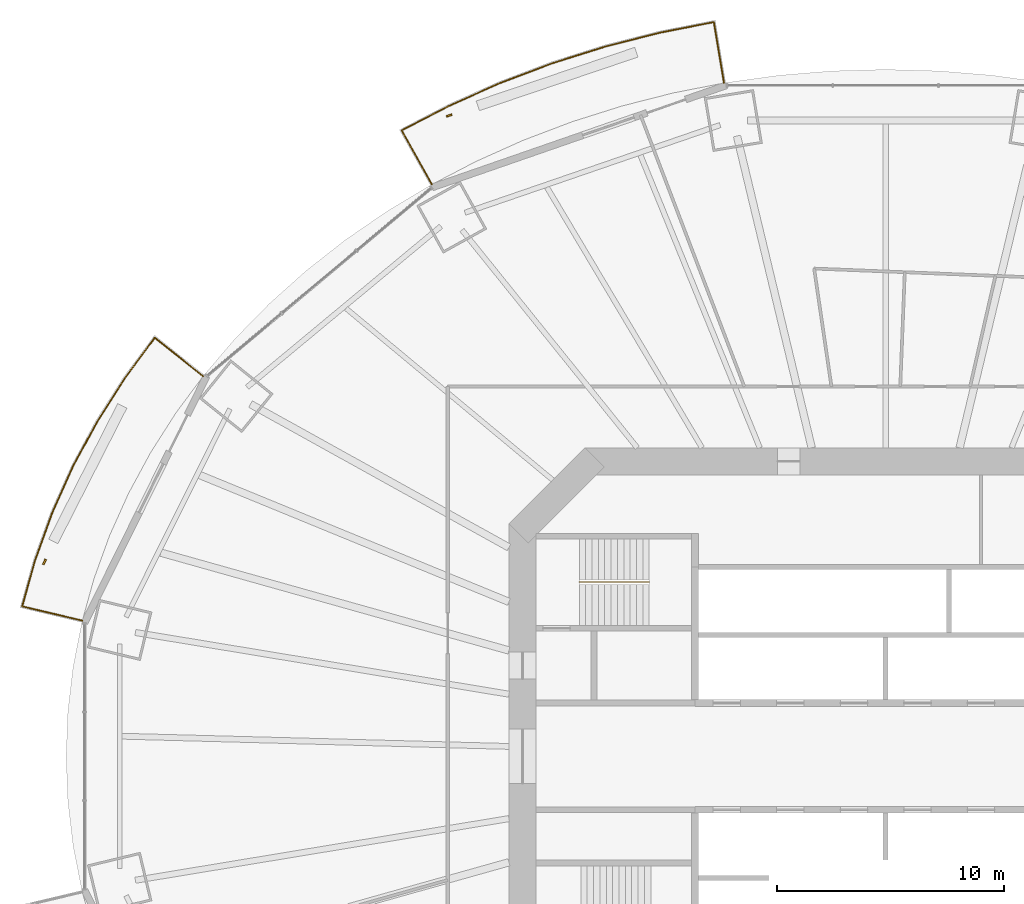
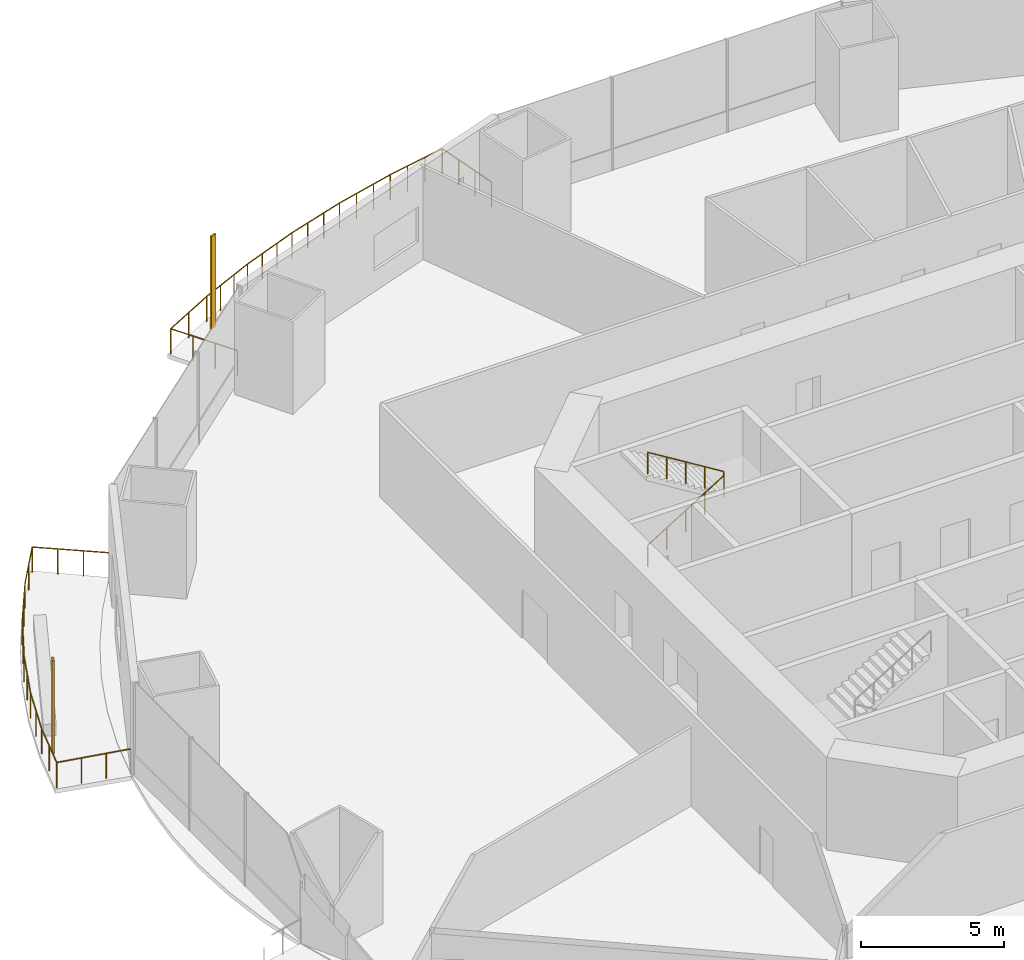
# One storey, part 20 of 23: 3 railings, 2 shading devices.
"""IFC4 building model written with IfcOpenShell, lengths in metres."""

from ifc_helpers import new_model, si_unit, direction, frame, origin, origin_2d, place, context, subcontext, project, spatial, rectangle, circle, extrude, material, material_profile, profile_set, type_object, element, save


model = new_model("IFC4")

# Units and contexts
model_context = context("Model", 3, precision=1e-05, world=origin(), true_north=direction((0.0, 1.0)))
body_context = subcontext(model_context, "Body", "Model", "MODEL_VIEW")
ifc_project = project(units=[si_unit("LENGTHUNIT", "METRE"), si_unit("AREAUNIT", "SQUARE_METRE"), si_unit("VOLUMEUNIT", "CUBIC_METRE"), si_unit("PLANEANGLEUNIT", "RADIAN"), si_unit("MASSUNIT", "GRAM", prefix="KILO")], contexts=[model_context])

# Site, building, storey
site_placement = place(None, origin())
site = spatial("IfcSite", under=ifc_project, at=site_placement, CompositionType="ELEMENT")
building_placement = place(site_placement, origin())
building = spatial("IfcBuilding", under=site, at=building_placement, Name="Marenthal Gate Tower", CompositionType="ELEMENT")
storey_placement = place(building_placement, frame((0.0, 0.0, 57.89990234375)))
storey = spatial("IfcBuildingStorey", under=building, at=storey_placement, Name="L10", CompositionType="ELEMENT", Elevation=57.89990234375)

# Railings
ifc_material_1 = material(Name="Stainless steel", Category="steel")
railing_type_1 = type_object("IfcRailingType", Name="Balcony guard 1100", PredefinedType="GUARDRAIL", material=ifc_material_1)
railing_1_placement = place(storey_placement, frame((-19.99462890625, 25.206787109375, 0.0)))
element("IfcRailing", 1, at=railing_1_placement, inside=storey, type_object=railing_type_1, Name="Balcony guard L10 bay 5", PredefinedType="GUARDRAIL", context=body_context, shape_type="SweptSolid", body=[
    extrude(circle(Radius=0.02392578125, at=origin_2d()), frame((0.0, 0.0, 1.076171875), z_axis=(-0.488848937096, 0.872245790276, -0.014628672067), x_axis=(-0.872339134705, -0.488901251851, 0.0)), (0.0, 0.0, 1.0), 2.720458984375),
    extrude(circle(Radius=0.02392578125, at=origin_2d()), frame((-1.329833984375, 2.372802734375, 1.0361328125), z_axis=(0.887238949587, 0.461310141159, 0.0), x_axis=(-0.461310141159, 0.887238949587, 0.0)), (0.0, 0.0, 1.0), 2.34619140625),
    extrude(circle(Radius=0.02392578125, at=origin_2d()), frame((0.751708984375, 3.455078125, 1.0361328125), z_axis=(0.912604464389, 0.408843602833, 0.0), x_axis=(-0.408843602833, 0.912604464389, 0.0)), (0.0, 0.0, 1.0), 2.443603515625),
    extrude(circle(Radius=0.02392578125, at=origin_2d()), frame((2.981689453125, 4.4541015625, 1.0361328125), z_axis=(0.934856725019, 0.355025215564, 0.0), x_axis=(-0.355025215564, 0.934856725019, 0.0)), (0.0, 0.0, 1.0), 2.459716796875),
    extrude(circle(Radius=0.02392578125, at=origin_2d()), frame((5.28125, 5.327392578125, 1.0361328125), z_axis=(0.953670609563, 0.300852735495, 0.0), x_axis=(-0.300852735495, 0.953670609563, 0.0)), (0.0, 0.0, 1.0), 2.474365234375),
    extrude(circle(Radius=0.02392578125, at=origin_2d()), frame((7.640869140625, 6.07177734375, 1.0361328125), z_axis=(0.969164557422, 0.24641440834, 0.0), x_axis=(-0.24641440834, 0.969164557422, 0.0)), (0.0, 0.0, 1.0), 2.48681640625),
    extrude(circle(Radius=0.02392578125, at=origin_2d()), frame((10.051025390625, 6.6845703125, 1.0361328125), z_axis=(0.981247114518, 0.192753988932, 0.0), x_axis=(-0.192753988932, 0.981247114518, 0.0)), (0.0, 0.0, 1.0), 2.416748046875),
    extrude(circle(Radius=0.02392578125, at=origin_2d()), frame((12.42236328125, 7.150390625, 1.0361328125), z_axis=(0.164599699224, -0.98625196007, 0.014629089953), x_axis=(0.986357511038, 0.164617315064, 0.0)), (0.0, 0.0, 1.0), 2.72021484375),
    extrude(circle(Radius=0.02099609375, at=origin_2d()), origin(), (0.0, 0.0, 1.0), 1.052001953125),
    extrude(circle(Radius=0.02099609375, at=origin_2d()), frame((-0.443359375, 0.791015625, -0.01318359375)), (0.0, 0.0, 1.0), 1.052001953125),
    extrude(circle(Radius=0.02099609375, at=origin_2d()), frame((-0.886474609375, 1.581787109375, -0.026611328125)), (0.0, 0.0, 1.0), 1.052001953125),
    extrude(circle(Radius=0.02099609375, at=origin_2d()), frame((-1.329833984375, 2.372802734375, -0.039794921875)), (0.0, 0.0, 1.0), 1.052001953125),
    extrude(circle(Radius=0.02099609375, at=origin_2d()), frame((-0.2890625, 2.9140625, -0.039794921875)), (0.0, 0.0, 1.0), 1.052001953125),
    extrude(circle(Radius=0.02099609375, at=origin_2d()), frame((0.751708984375, 3.455078125, -0.039794921875)), (0.0, 0.0, 1.0), 1.052001953125),
    extrude(circle(Radius=0.02099609375, at=origin_2d()), frame((1.4951171875, 3.7880859375, -0.039794921875)), (0.0, 0.0, 1.0), 1.052001953125),
    extrude(circle(Radius=0.02099609375, at=origin_2d()), frame((2.23828125, 4.12109375, -0.039794921875)), (0.0, 0.0, 1.0), 1.052001953125),
    extrude(circle(Radius=0.02099609375, at=origin_2d()), frame((2.981689453125, 4.4541015625, -0.039794921875)), (0.0, 0.0, 1.0), 1.052001953125),
    extrude(circle(Radius=0.02099609375, at=origin_2d()), frame((3.748291015625, 4.7451171875, -0.039794921875)), (0.0, 0.0, 1.0), 1.052001953125),
    extrude(circle(Radius=0.02099609375, at=origin_2d()), frame((4.5146484375, 5.036376953125, -0.039794921875)), (0.0, 0.0, 1.0), 1.052001953125),
    extrude(circle(Radius=0.02099609375, at=origin_2d()), frame((5.28125, 5.327392578125, -0.039794921875)), (0.0, 0.0, 1.0), 1.052001953125),
    extrude(circle(Radius=0.02099609375, at=origin_2d()), frame((6.06787109375, 5.575439453125, -0.039794921875)), (0.0, 0.0, 1.0), 1.052001953125),
    extrude(circle(Radius=0.02099609375, at=origin_2d()), frame((6.854248046875, 5.82373046875, -0.039794921875)), (0.0, 0.0, 1.0), 1.052001953125),
    extrude(circle(Radius=0.02099609375, at=origin_2d()), frame((7.640869140625, 6.07177734375, -0.039794921875)), (0.0, 0.0, 1.0), 1.052001953125),
    extrude(circle(Radius=0.02099609375, at=origin_2d()), frame((8.4443359375, 6.276123046875, -0.039794921875)), (0.0, 0.0, 1.0), 1.052001953125),
    extrude(circle(Radius=0.02099609375, at=origin_2d()), frame((9.24755859375, 6.480224609375, -0.039794921875)), (0.0, 0.0, 1.0), 1.052001953125),
    extrude(circle(Radius=0.02099609375, at=origin_2d()), frame((10.051025390625, 6.6845703125, -0.039794921875)), (0.0, 0.0, 1.0), 1.052001953125),
    extrude(circle(Radius=0.02099609375, at=origin_2d()), frame((10.841552734375, 6.83984375, -0.039794921875)), (0.0, 0.0, 1.0), 1.052001953125),
    extrude(circle(Radius=0.02099609375, at=origin_2d()), frame((11.6318359375, 6.9951171875, -0.039794921875)), (0.0, 0.0, 1.0), 1.052001953125),
    extrude(circle(Radius=0.02099609375, at=origin_2d()), frame((12.42236328125, 7.150390625, -0.039794921875)), (0.0, 0.0, 1.0), 1.052001953125),
    extrude(circle(Radius=0.02099609375, at=origin_2d()), frame((12.571533203125, 6.256103515625, -0.026611328125)), (0.0, 0.0, 1.0), 1.052001953125),
    extrude(circle(Radius=0.02099609375, at=origin_2d()), frame((12.720947265625, 5.36181640625, -0.01318359375)), (0.0, 0.0, 1.0), 1.052001953125),
    extrude(circle(Radius=0.02099609375, at=origin_2d()), frame((12.8701171875, 4.467529296875, 0.0)), (0.0, 0.0, 1.0), 1.052001953125),
])
railing_2_placement = place(storey_placement, frame((-35.402587890625, 5.983154296875, 0.0)))
element("IfcRailing", 2, at=railing_2_placement, inside=storey, type_object=railing_type_1, Name="Balcony guard L10 bay 7", PredefinedType="GUARDRAIL", context=body_context, shape_type="SweptSolid", body=[
    extrude(circle(Radius=0.02392578125, at=origin_2d()), frame((0.0, 0.0, 1.076171875), z_axis=(-0.97292794726, 0.230645219487, -0.014628471119), x_axis=(-0.230669901584, -0.973032063451, 0.0)), (0.0, 0.0, 1.0), 2.720458984375),
    extrude(circle(Radius=0.02392578125, at=origin_2d()), frame((-2.646728515625, 0.62744140625, 1.0361328125), z_axis=(0.269464118276, 0.96301043035, 0.0), x_axis=(-0.96301043035, 0.269464118276, 0.0)), (0.0, 0.0, 1.0), 2.130126953125),
    extrude(circle(Radius=0.02392578125, at=origin_2d()), frame((-2.07275390625, 2.6787109375, 1.0361328125), z_axis=(0.340268465621, 0.94032833165, 0.0), x_axis=(-0.94032833165, 0.340268465621, 0.0)), (0.0, 0.0, 1.0), 2.220703125),
    extrude(circle(Radius=0.02392578125, at=origin_2d()), frame((-1.317138671875, 4.766845703125, 1.0361328125), z_axis=(0.40966465878, 0.912236190549, 0.0), x_axis=(-0.912236190549, 0.40966465878, 0.0)), (0.0, 0.0, 1.0), 2.233642578125),
    extrude(circle(Radius=0.02392578125, at=origin_2d()), frame((-0.402099609375, 6.804443359375, 1.0361328125), z_axis=(0.475471623431, 0.879731058513, 0.0), x_axis=(-0.879731058513, 0.475471623431, 0.0)), (0.0, 0.0, 1.0), 2.2490234375),
    extrude(circle(Radius=0.02392578125, at=origin_2d()), frame((0.667236328125, 8.782958984375, 1.0361328125), z_axis=(0.537628198706, 0.843182020655, 0.0), x_axis=(-0.843182020655, 0.537628198706, 0.0)), (0.0, 0.0, 1.0), 2.26611328125),
    extrude(circle(Radius=0.02392578125, at=origin_2d()), frame((1.885498046875, 10.693603515625, 1.0361328125), z_axis=(0.59484873049, 0.803837662613, 0.0), x_axis=(-0.803837662613, 0.59484873049, 0.0)), (0.0, 0.0, 1.0), 2.204345703125),
    extrude(circle(Radius=0.02392578125, at=origin_2d()), frame((3.19677734375, 12.465576171875, 1.0361328125), z_axis=(0.782105703361, -0.622974028807, 0.014629702737), x_axis=(0.623040706516, 0.782189413137, 0.0)), (0.0, 0.0, 1.0), 2.72021484375),
    extrude(circle(Radius=0.02099609375, at=origin_2d()), origin(), (0.0, 0.0, 1.0), 1.052001953125),
    extrude(circle(Radius=0.02099609375, at=origin_2d()), frame((-0.88232421875, 0.209228515625, -0.01318359375)), (0.0, 0.0, 1.0), 1.052001953125),
    extrude(circle(Radius=0.02099609375, at=origin_2d()), frame((-1.764404296875, 0.418212890625, -0.026611328125)), (0.0, 0.0, 1.0), 1.052001953125),
    extrude(circle(Radius=0.02099609375, at=origin_2d()), frame((-2.646728515625, 0.62744140625, -0.039794921875)), (0.0, 0.0, 1.0), 1.052001953125),
    extrude(circle(Radius=0.02099609375, at=origin_2d()), frame((-2.35986328125, 1.653076171875, -0.039794921875)), (0.0, 0.0, 1.0), 1.052001953125),
    extrude(circle(Radius=0.02099609375, at=origin_2d()), frame((-2.07275390625, 2.6787109375, -0.039794921875)), (0.0, 0.0, 1.0), 1.052001953125),
    extrude(circle(Radius=0.02099609375, at=origin_2d()), frame((-1.69482421875, 3.72265625, -0.039794921875)), (0.0, 0.0, 1.0), 1.052001953125),
    extrude(circle(Radius=0.02099609375, at=origin_2d()), frame((-1.317138671875, 4.766845703125, -0.039794921875)), (0.0, 0.0, 1.0), 1.052001953125),
    extrude(circle(Radius=0.02099609375, at=origin_2d()), frame((-0.859619140625, 5.78564453125, -0.039794921875)), (0.0, 0.0, 1.0), 1.052001953125),
    extrude(circle(Radius=0.02099609375, at=origin_2d()), frame((-0.402099609375, 6.804443359375, -0.039794921875)), (0.0, 0.0, 1.0), 1.052001953125),
    extrude(circle(Radius=0.02099609375, at=origin_2d()), frame((0.132568359375, 7.793701171875, -0.039794921875)), (0.0, 0.0, 1.0), 1.052001953125),
    extrude(circle(Radius=0.02099609375, at=origin_2d()), frame((0.667236328125, 8.782958984375, -0.039794921875)), (0.0, 0.0, 1.0), 1.052001953125),
    extrude(circle(Radius=0.02099609375, at=origin_2d()), frame((1.2763671875, 9.73828125, -0.039794921875)), (0.0, 0.0, 1.0), 1.052001953125),
    extrude(circle(Radius=0.02099609375, at=origin_2d()), frame((1.885498046875, 10.693603515625, -0.039794921875)), (0.0, 0.0, 1.0), 1.052001953125),
    extrude(circle(Radius=0.02099609375, at=origin_2d()), frame((2.541015625, 11.57958984375, -0.039794921875)), (0.0, 0.0, 1.0), 1.052001953125),
    extrude(circle(Radius=0.02099609375, at=origin_2d()), frame((3.19677734375, 12.465576171875, -0.039794921875)), (0.0, 0.0, 1.0), 1.052001953125),
    extrude(circle(Radius=0.02099609375, at=origin_2d()), frame((3.906005859375, 11.900634765625, -0.026611328125)), (0.0, 0.0, 1.0), 1.052001953125),
    extrude(circle(Radius=0.02099609375, at=origin_2d()), frame((4.614990234375, 11.3359375, -0.01318359375)), (0.0, 0.0, 1.0), 1.052001953125),
    extrude(circle(Radius=0.02099609375, at=origin_2d()), frame((5.32421875, 10.77099609375, 0.0)), (0.0, 0.0, 1.0), 1.052001953125),
])
ifc_material_2 = material(Name="Stainless steel", Category="steel")
railing_type_2 = type_object("IfcRailingType", Name="Stair handrail", PredefinedType="HANDRAIL", material=ifc_material_2)
railing_3_placement = place(storey_placement, frame((-13.5, 7.675048828125, 0.173095703125)))
element("IfcRailing", 3, at=railing_3_placement, inside=storey, type_object=railing_type_2, Name="Handrail ST1", PredefinedType="HANDRAIL", context=body_context, shape_type="SweptSolid", body=[
    extrude(circle(Radius=0.0224609375, at=origin_2d()), frame((0.0, 0.0, 0.927490234375), z_axis=(0.850835241893, 0.0, 0.525432575268), x_axis=(0.0, 1.0, 0.0)), (0.0, 0.0, 1.0), 3.6201171875),
    extrude(circle(Radius=0.0224609375, at=origin_2d()), frame((3.080078125, 0.0, 2.82958984375), z_axis=(0.0, 0.0, 1.0), x_axis=(1.0, 0.0, 0.0)), (0.0, 0.0, 1.0), 0.1728515625),
    extrude(circle(Radius=0.0224609375, at=origin_2d()), frame((3.080078125, 0.0, 3.00244140625), z_axis=(-0.850835241893, 0.0, 0.525432575268), x_axis=(0.0, -1.0, 0.0)), (0.0, 0.0, 1.0), 3.6201171875),
    extrude(circle(Radius=0.02001953125, at=origin_2d()), origin(), (0.0, 0.0, 1.0), 0.905029296875),
    extrude(circle(Radius=0.02001953125, at=origin_2d()), frame((0.77001953125, 0.0, 0.4755859375)), (0.0, 0.0, 1.0), 0.905029296875),
    extrude(circle(Radius=0.02001953125, at=origin_2d()), frame((1.5400390625, 0.0, 0.951171875)), (0.0, 0.0, 1.0), 0.905029296875),
    extrude(circle(Radius=0.02001953125, at=origin_2d()), frame((2.31005859375, 0.0, 1.426513671875)), (0.0, 0.0, 1.0), 0.905029296875),
    extrude(circle(Radius=0.02001953125, at=origin_2d()), frame((3.080078125, 0.0, 1.902099609375)), (0.0, 0.0, 1.0), 0.905029296875),
    extrude(circle(Radius=0.02001953125, at=origin_2d()), frame((3.080078125, 0.0, 2.074951171875)), (0.0, 0.0, 1.0), 0.905029296875),
    extrude(circle(Radius=0.02001953125, at=origin_2d()), frame((2.31005859375, 0.0, 2.550537109375)), (0.0, 0.0, 1.0), 0.905029296875),
    extrude(circle(Radius=0.02001953125, at=origin_2d()), frame((1.5400390625, 0.0, 3.02587890625)), (0.0, 0.0, 1.0), 0.905029296875),
    extrude(circle(Radius=0.02001953125, at=origin_2d()), frame((0.77001953125, 0.0, 3.50146484375)), (0.0, 0.0, 1.0), 0.905029296875),
    extrude(circle(Radius=0.02001953125, at=origin_2d()), frame((0.0, 0.0, 3.97705078125)), (0.0, 0.0, 1.0), 0.905029296875),
])

# Shading devices
ifc_material_3 = material(Name="Terracotta", Category="masonry")
ifc_material_profile = material_profile(ifc_material_3, rectangle(XDim=0.25, YDim=0.080078125, at=origin_2d()), Name="Terracotta baguette 250x80")
ifc_profile_set = profile_set([ifc_material_profile], Name="Terracotta")
shading_device_type = type_object("IfcShadingDeviceType", Name="Terracotta BAGUETTE SCREEN 250x80", PredefinedType="USERDEFINED", material=ifc_profile_set)
for number, where, z_axis, x_axis, name in (
    (4, (-19.23291015625, 28.24072265625, -0.039794921875), (0.0, 0.0, 1.0), (-0.944672154092, -0.32801603815, 0.0), "Terracotta BAGUETTE L10 bay 5R"),
    (5, (-37.06591796875, 8.569580078125, -0.039794921875), (0.0, 0.0, 1.0), (-0.442993196296, -0.896524973459, 0.0), "Terracotta BAGUETTE L10 bay 7R"),
):
    element("IfcShadingDevice", number, at=place(storey_placement, frame(where, z_axis=z_axis, x_axis=x_axis)), inside=storey, type_object=shading_device_type, Name=name, ObjectType="BAGUETTE SCREEN", PredefinedType="USERDEFINED", context=body_context, shape_type="SweptSolid", body=[
        extrude(rectangle(XDim=0.25, YDim=0.080078125, at=origin_2d()), origin(), (0.0, 0.0, 1.0), 3.969970703125),
    ])

save(model, "model.ifc")
